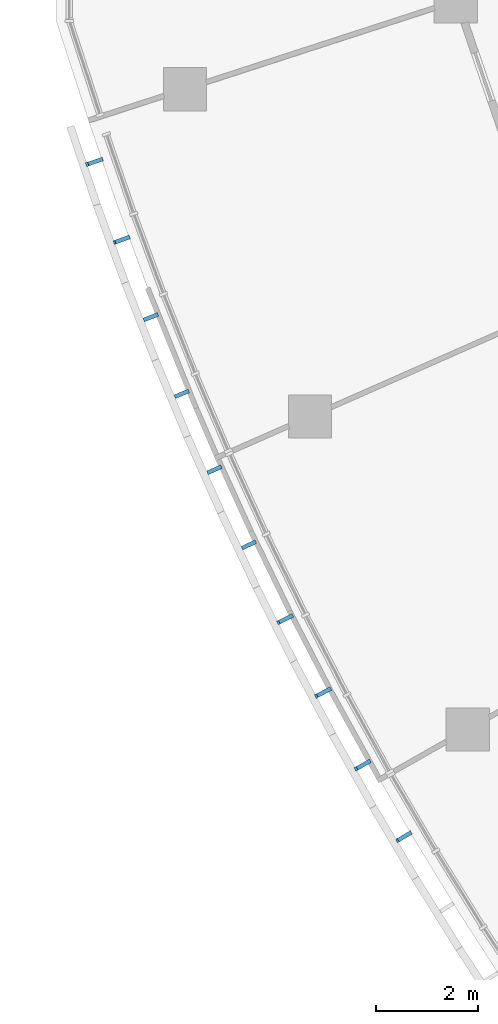
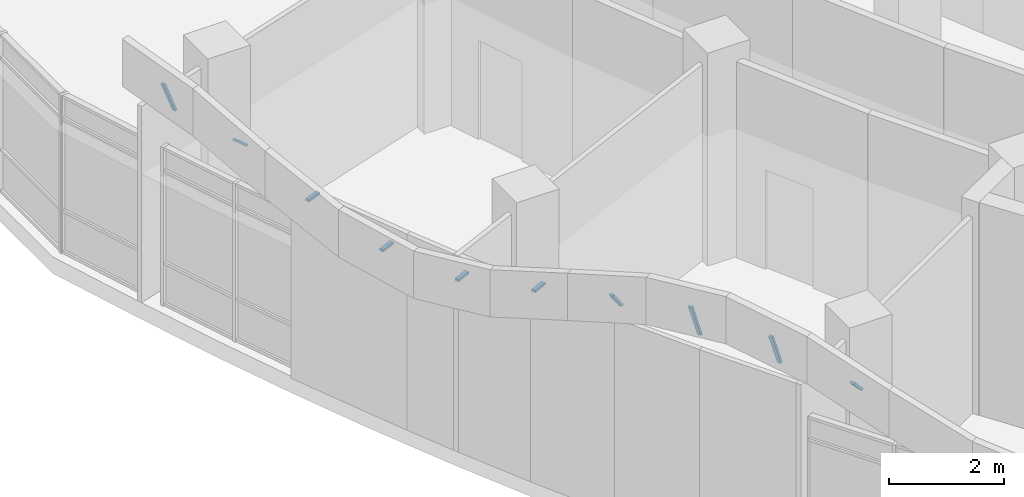
# One storey, part 103 of 136: 10 discrete accessories.
"""IFC4 building model written with IfcOpenShell, lengths in metres."""

from ifc_helpers import new_model, si_unit, direction, frame, origin, origin_2d, place, context, subcontext, project, spatial, rectangle, extrude, material, material_profile, profile_set, type_object, element, save


model = new_model("IFC4")

# Units and contexts
model_context = context("Model", 3, precision=1e-05, world=origin(), true_north=direction((0.0, 1.0)))
body_context = subcontext(model_context, "Body", "Model", "MODEL_VIEW")
ifc_project = project(units=[si_unit("LENGTHUNIT", "METRE"), si_unit("AREAUNIT", "SQUARE_METRE"), si_unit("VOLUMEUNIT", "CUBIC_METRE"), si_unit("PLANEANGLEUNIT", "RADIAN"), si_unit("MASSUNIT", "GRAM", prefix="KILO")], contexts=[model_context])

# Site, building, storey
site_placement = place(None, origin())
site = spatial("IfcSite", under=ifc_project, at=site_placement, CompositionType="ELEMENT")
building_placement = place(site_placement, origin())
building = spatial("IfcBuilding", under=site, at=building_placement, Name="Bougainvillea Quay General Hospital", CompositionType="ELEMENT")
storey_placement = place(building_placement, frame((0.0, 0.0, 5.39990234375)))
storey = spatial("IfcBuildingStorey", under=building, at=storey_placement, Name="L01", CompositionType="ELEMENT", Elevation=5.39990234375)

# Discrete accessories
ifc_material = material(Name="Stainless steel bracket, grade 316", Category="steel")
ifc_material_profile = material_profile(ifc_material, rectangle(XDim=0.080078125, YDim=0.050048828125, at=origin_2d()))
ifc_profile_set = profile_set([ifc_material_profile], Name="Stainless steel bracket, grade 316")
discrete_accessory_type = type_object("IfcDiscreteAccessoryType", Name="Stainless steel stand-off bracket 80x50", PredefinedType="BRACKET", material=ifc_profile_set)
discrete_accessory_1_placement = place(storey_placement, frame((42.8857421875, 103.60009765625, 4.440185546875), z_axis=(-0.371318766974, -0.12536793421, 0.920002855629), x_axis=(0.319888251559, -0.947455279427, 0.0)))
element("IfcDiscreteAccessory", 1, at=discrete_accessory_1_placement, inside=storey, type_object=discrete_accessory_type, Name="Fascia bracket a01 1", PredefinedType="BRACKET", context=body_context, shape_type="SweptSolid", body=[
    extrude(rectangle(XDim=0.080078125, YDim=0.050048828125, at=origin_2d()), origin(), (0.0, 0.0, 1.0), 0.765380859375),
])
discrete_accessory_2_placement = place(storey_placement, frame((43.4228515625, 102.068603515625, 4.440185546875), z_axis=(-0.706231697151, -0.256811526237, 0.659761040022), x_axis=(0.341743063087, -0.939793423488, 0.0)))
element("IfcDiscreteAccessory", 2, at=discrete_accessory_2_placement, inside=storey, type_object=discrete_accessory_type, Name="Fascia bracket a01 2", PredefinedType="BRACKET", context=body_context, shape_type="SweptSolid", body=[
    extrude(rectangle(XDim=0.080078125, YDim=0.050048828125, at=origin_2d()), origin(), (0.0, 0.0, 1.0), 0.399169921875),
])
discrete_accessory_3_placement = place(storey_placement, frame((43.995361328125, 100.5498046875, 4.146240234375), z_axis=(-0.931698658932, -0.363232169479, 0.0), x_axis=(0.363232169479, -0.931698658932, 0.0)))
element("IfcDiscreteAccessory", 3, at=discrete_accessory_3_placement, inside=storey, type_object=discrete_accessory_type, Name="Fascia bracket a01 3", PredefinedType="BRACKET", context=body_context, shape_type="SweptSolid", body=[
    extrude(rectangle(XDim=0.080078125, YDim=0.050048828125, at=origin_2d()), origin(), (0.0, 0.0, 1.0), 0.2998046875),
])
for number, where, z_axis, x_axis, name in (
    (4, (44.60302734375, 99.044921875, 3.791748046875), (-0.922932383394, -0.384962096424, 0.0), (0.384962096424, -0.922932383394, 0.0), "Fascia bracket a01 4"),
    (5, (45.245361328125, 97.554443359375, 3.84375), (-0.913845102344, -0.406062961772, 0.0), (0.406062961772, -0.913845102344, 0.0), "Fascia bracket a01 5"),
    (6, (45.922119140625, 96.079345703125, 4.27197265625), (-0.903820646406, -0.427911485157, 0.0), (0.427911485157, -0.903820646406, 0.0), "Fascia bracket a01 6"),
):
    element("IfcDiscreteAccessory", number, at=place(storey_placement, frame(where, z_axis=z_axis, x_axis=x_axis)), inside=storey, type_object=discrete_accessory_type, Name=name, PredefinedType="BRACKET", context=body_context, shape_type="SweptSolid", body=[
        extrude(rectangle(XDim=0.080078125, YDim=0.050048828125, at=origin_2d()), origin(), (0.0, 0.0, 1.0), 0.300048828125),
    ])
discrete_accessory_4_placement = place(storey_placement, frame((46.6328125, 94.6201171875, 4.440185546875), z_axis=(-0.544097594423, -0.273039867511, 0.793351774746), x_axis=(0.448515525812, -0.893775040547, 0.0)))
element("IfcDiscreteAccessory", 7, at=discrete_accessory_4_placement, inside=storey, type_object=discrete_accessory_type, Name="Fascia bracket a01 7", PredefinedType="BRACKET", context=body_context, shape_type="SweptSolid", body=[
    extrude(rectangle(XDim=0.080078125, YDim=0.050048828125, at=origin_2d()), origin(), (0.0, 0.0, 1.0), 0.49267578125),
])
discrete_accessory_5_placement = place(storey_placement, frame((47.377197265625, 93.177978515625, 4.440185546875), z_axis=(-0.324118997715, -0.172066859616, 0.930236459801), x_axis=(0.468897286653, -0.883252701422, 0.0)))
element("IfcDiscreteAccessory", 8, at=discrete_accessory_5_placement, inside=storey, type_object=discrete_accessory_type, Name="Fascia bracket a01 8", PredefinedType="BRACKET", context=body_context, shape_type="SweptSolid", body=[
    extrude(rectangle(XDim=0.080078125, YDim=0.050048828125, at=origin_2d()), origin(), (0.0, 0.0, 1.0), 0.8173828125),
])
discrete_accessory_6_placement = place(storey_placement, frame((48.15478515625, 91.75341796875, 4.440185546875), z_axis=(-0.332169985584, -0.186709926537, 0.924555300677), x_axis=(0.489990708417, -0.871727655673, 0.0)))
element("IfcDiscreteAccessory", 9, at=discrete_accessory_6_placement, inside=storey, type_object=discrete_accessory_type, Name="Fascia bracket a01 9", PredefinedType="BRACKET", context=body_context, shape_type="SweptSolid", body=[
    extrude(rectangle(XDim=0.080078125, YDim=0.050048828125, at=origin_2d()), origin(), (0.0, 0.0, 1.0), 0.787109375),
])
discrete_accessory_7_placement = place(storey_placement, frame((48.96533203125, 90.34716796875, 4.440185546875), z_axis=(-0.596028477062, -0.352993213473, 0.721211373852), x_axis=(0.509579239577, -0.860423732002, 0.0)))
element("IfcDiscreteAccessory", 10, at=discrete_accessory_7_placement, inside=storey, type_object=discrete_accessory_type, Name="Fascia bracket a01 10", PredefinedType="BRACKET", context=body_context, shape_type="SweptSolid", body=[
    extrude(rectangle(XDim=0.080078125, YDim=0.050048828125, at=origin_2d()), origin(), (0.0, 0.0, 1.0), 0.432861328125),
])

save(model, "model.ifc")
